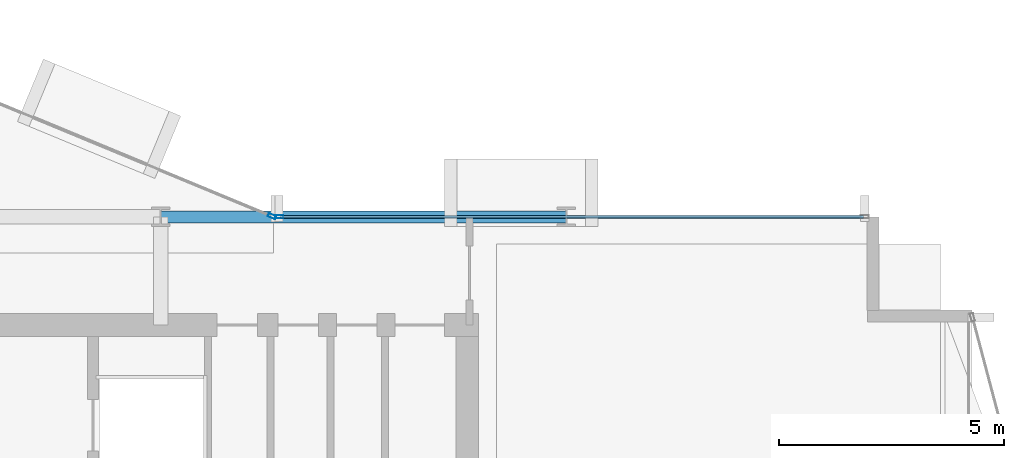
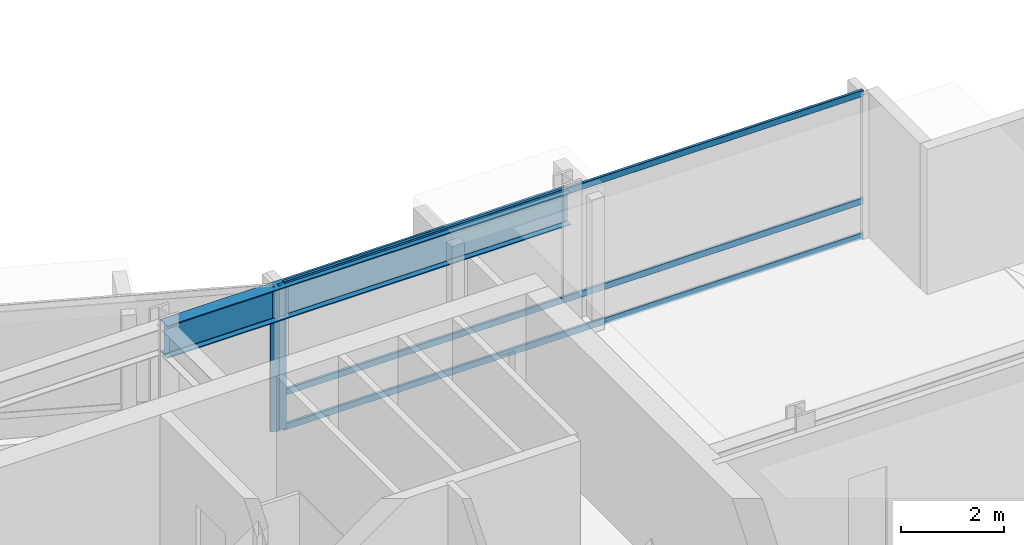
# One storey, part 13 of 28: 5 members, 1 beam, 2 elements without a shape of their own.
"""IFC4 building model written with IfcOpenShell, lengths in metres."""

from ifc_helpers import new_model, si_unit, direction, frame, origin, origin_2d, place, context, subcontext, project, spatial, hollow_rectangle, i_section, extrude, material, layer, layer_set, material_profile, profile_set, type_object, element, aggregate, save


model = new_model("IFC4")

# Units and contexts
model_context = context("Model", 3, precision=1e-05, world=origin(), true_north=direction((0.0, 1.0)))
body_context = subcontext(model_context, "Body", "Model", "MODEL_VIEW")
ifc_project = project(units=[si_unit("LENGTHUNIT", "METRE"), si_unit("AREAUNIT", "SQUARE_METRE"), si_unit("VOLUMEUNIT", "CUBIC_METRE"), si_unit("PLANEANGLEUNIT", "RADIAN"), si_unit("MASSUNIT", "GRAM", prefix="KILO")], contexts=[model_context])

# Site, building, storey
site_placement = place(None, origin())
site = spatial("IfcSite", under=ifc_project, at=site_placement, CompositionType="ELEMENT")
building_placement = place(site_placement, origin())
building = spatial("IfcBuilding", under=site, at=building_placement, Name="Solvaryn Broadcast Tower", CompositionType="ELEMENT")
storey_placement = place(building_placement, frame((0.0, 0.0, 150.699951171875)))
storey = spatial("IfcBuildingStorey", under=building, at=storey_placement, Name="L37", CompositionType="ELEMENT", Elevation=150.699951171875)

# Beam
ifc_material_1 = material(Name="Steel ASTM A992 Grade 50", Category="steel")
ifc_material_profile_1 = material_profile(ifc_material_1, i_section(OverallWidth=0.26708984375, OverallDepth=0.76611328125, WebThickness=0.014892578125, FlangeThickness=0.023681640625, FilletRadius=0.01806640625, at=origin_2d()))
ifc_profile_set_1 = profile_set([ifc_material_profile_1], Name="Steel ASTM A992 Grade 50")
beam_type = type_object("IfcBeamType", Name="BM-SP2-W30X124", PredefinedType="USERDEFINED", material=ifc_profile_set_1)
beam_placement = place(storey_placement, frame((36.0, 27.0, 3.037109375), z_axis=(1.0, 0.0, 0.0), x_axis=(0.0, 1.0, 0.0)))
element("IfcBeam", 1, at=beam_placement, inside=storey, type_object=beam_type, Name="L37 Spandrel Beam X (36-45 @ Y=27)", ObjectType="SPANDREL", PredefinedType="USERDEFINED", context=body_context, shape_type="SweptSolid", body=[
    extrude(i_section(OverallWidth=0.26708984375, OverallDepth=0.76611328125, WebThickness=0.014892578125, FlangeThickness=0.023681640625, FilletRadius=0.01806640625, at=origin_2d()), origin(), (0.0, 0.0, 1.0), 9.0),
])

# Curtain wall, member
ifc_material_2 = material(Name="Aluminium and Terracotta Unitised Curtain Wall", Category="masonry")
ifc_layer = layer(ifc_material_2, 0.199951171875)
ifc_layer_set = layer_set([ifc_layer], Name="CW-SYS2-LOWMID")
curtain_wall_type = type_object("IfcCurtainWallType", Name="CW-SYS2-LOWMID", PredefinedType="NOTDEFINED", material=ifc_layer_set)
curtain_wall_1_placement = place(storey_placement, origin())
curtain_wall_1 = element("IfcCurtainWall", 2, at=curtain_wall_1_placement, inside=storey, type_object=curtain_wall_type, Name="L37 Curtain Wall CN1", PredefinedType="NOTDEFINED")
ifc_material_3 = material(Name="Anodised Aluminium 6063-T6", Category="aluminium")
ifc_material_profile_2 = material_profile(ifc_material_3, hollow_rectangle(XDim=0.074951171875, YDim=0.179931640625, WallThickness=0.00390625, InnerFilletRadius=0.00390625, OuterFilletRadius=0.008056640625, at=origin_2d()))
ifc_profile_set_2 = profile_set([ifc_material_profile_2], Name="Anodised Aluminium 6063-T6")
member_type_1 = type_object("IfcMemberType", Name="CW-MUL-180", PredefinedType="MULLION", material=ifc_profile_set_2)
member_1_placement = place(storey_placement, frame((38.47216796875, 27.011474609375, 0.0), z_axis=(0.0, 0.0, 1.0), x_axis=(-0.382646127145, -0.923894983957, 0.0)))
member_1 = element("IfcMember", 3, at=member_1_placement, type_object=member_type_1, Name="CWS2 mullion 1", PredefinedType="MULLION", context=body_context, shape_type="SweptSolid", body=[
    extrude(hollow_rectangle(XDim=0.074951171875, YDim=0.179931640625, WallThickness=0.00390625, InnerFilletRadius=0.00390625, OuterFilletRadius=0.008056640625, at=origin_2d()), origin(), (0.0, 0.0, 1.0), 3.420166015625),
])
aggregate(curtain_wall_1, [member_1])

# Curtain wall, members
curtain_wall_2_placement = place(storey_placement, origin())
curtain_wall_2 = element("IfcCurtainWall", 4, at=curtain_wall_2_placement, inside=storey, type_object=curtain_wall_type, Name="L37 Curtain Wall IH", PredefinedType="NOTDEFINED")
member_2_placement = place(storey_placement, frame((38.6298828125, 27.0, 0.0), z_axis=(0.0, 0.0, 1.0), x_axis=(0.0, 1.0, 0.0)))
member_2 = element("IfcMember", 5, at=member_2_placement, type_object=member_type_1, Name="CWS2 mullion 1", PredefinedType="MULLION", context=body_context, shape_type="SweptSolid", body=[
    extrude(hollow_rectangle(XDim=0.074951171875, YDim=0.179931640625, WallThickness=0.00390625, InnerFilletRadius=0.00390625, OuterFilletRadius=0.008056640625, at=origin_2d()), origin(), (0.0, 0.0, 1.0), 3.420166015625),
])
ifc_material_4 = material(Name="Anodised Aluminium 6063-T6", Category="aluminium")
ifc_material_profile_3 = material_profile(ifc_material_4, hollow_rectangle(XDim=0.06494140625, YDim=0.14990234375, WallThickness=0.00390625, InnerFilletRadius=0.00390625, OuterFilletRadius=0.008056640625, at=origin_2d()))
ifc_profile_set_3 = profile_set([ifc_material_profile_3], Name="Anodised Aluminium 6063-T6")
member_type_2 = type_object("IfcMemberType", Name="CW-TRN-150", PredefinedType="USERDEFINED", material=ifc_profile_set_3)
member_3_placement = place(storey_placement, frame((38.659912109375, 27.0, 0.030029296875), z_axis=(1.0, 0.0, 0.0), x_axis=(0.0, 1.0, 0.0)))
member_3 = element("IfcMember", 6, at=member_3_placement, type_object=member_type_2, Name="CWS2 transom 1.1", ObjectType="TRANSOM", PredefinedType="USERDEFINED", context=body_context, shape_type="SweptSolid", body=[
    extrude(hollow_rectangle(XDim=0.06494140625, YDim=0.14990234375, WallThickness=0.00390625, InnerFilletRadius=0.00390625, OuterFilletRadius=0.008056640625, at=origin_2d()), origin(), (0.0, 0.0, 1.0), 12.93017578125),
])
member_4_placement = place(storey_placement, frame((38.659912109375, 27.0, 0.85009765625), z_axis=(1.0, 0.0, 0.0), x_axis=(0.0, 1.0, 0.0)))
member_4 = element("IfcMember", 7, at=member_4_placement, type_object=member_type_2, Name="CWS2 transom 1.2", ObjectType="TRANSOM", PredefinedType="USERDEFINED", context=body_context, shape_type="SweptSolid", body=[
    extrude(hollow_rectangle(XDim=0.06494140625, YDim=0.14990234375, WallThickness=0.00390625, InnerFilletRadius=0.00390625, OuterFilletRadius=0.008056640625, at=origin_2d()), origin(), (0.0, 0.0, 1.0), 12.93017578125),
])
member_5_placement = place(storey_placement, frame((38.659912109375, 27.0, 3.39013671875), z_axis=(1.0, 0.0, 0.0), x_axis=(0.0, 1.0, 0.0)))
member_5 = element("IfcMember", 8, at=member_5_placement, type_object=member_type_2, Name="CWS2 transom 1.3", ObjectType="TRANSOM", PredefinedType="USERDEFINED", context=body_context, shape_type="SweptSolid", body=[
    extrude(hollow_rectangle(XDim=0.06494140625, YDim=0.14990234375, WallThickness=0.00390625, InnerFilletRadius=0.00390625, OuterFilletRadius=0.008056640625, at=origin_2d()), origin(), (0.0, 0.0, 1.0), 12.93017578125),
])
aggregate(curtain_wall_2, [member_2, member_3, member_4, member_5])

save(model, "model.ifc")
